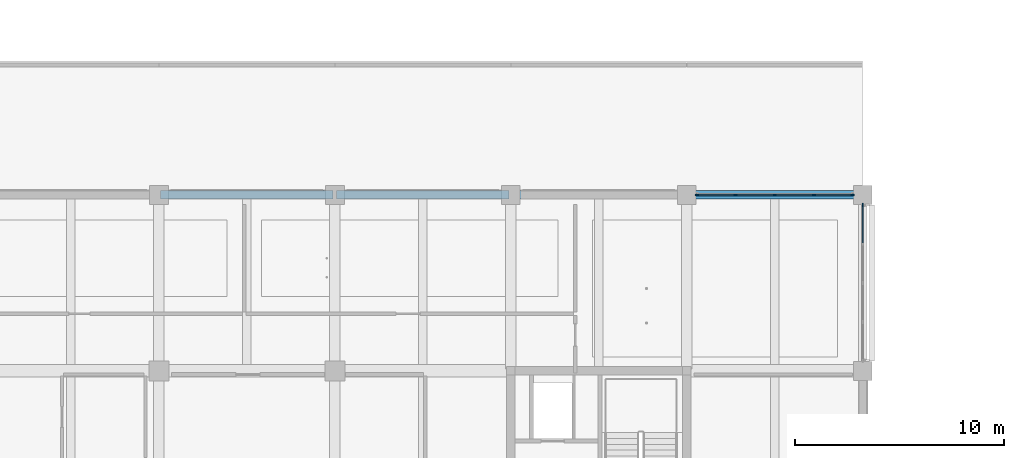
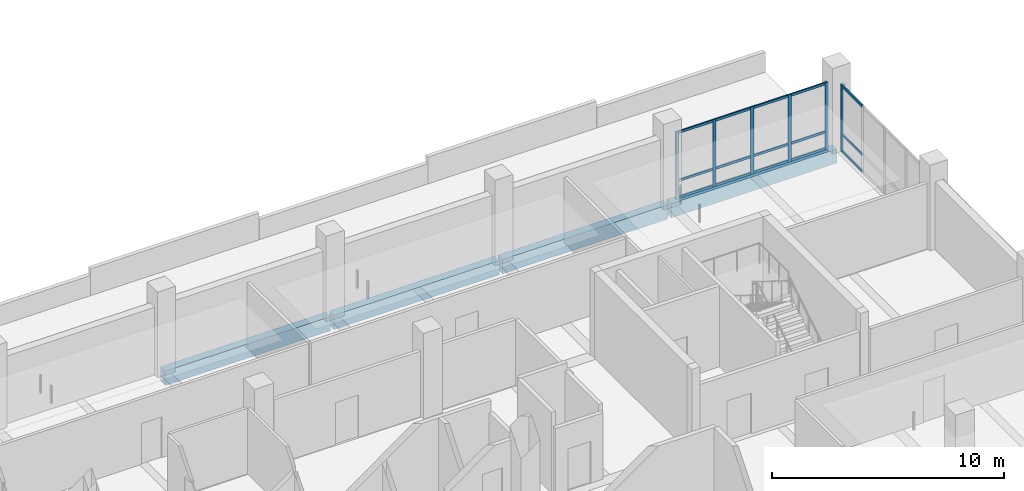
# One storey, part 16 of 59: 21 members, 4 beams, 2 elements without a shape of their own.
"""IFC4 building model written with IfcOpenShell, lengths in metres."""

from ifc_helpers import new_model, si_unit, direction, frame, origin, origin_2d, place, context, subcontext, project, spatial, rectangle, extrude, material, layer, layer_set, material_profile, profile_set, type_object, element, aggregate, save


model = new_model("IFC4")

# Units and contexts
model_context = context("Model", 3, precision=1e-05, world=origin(), true_north=direction((0.0, 1.0)))
body_context = subcontext(model_context, "Body", "Model", "MODEL_VIEW")
ifc_project = project(units=[si_unit("LENGTHUNIT", "METRE"), si_unit("AREAUNIT", "SQUARE_METRE"), si_unit("VOLUMEUNIT", "CUBIC_METRE"), si_unit("PLANEANGLEUNIT", "RADIAN"), si_unit("MASSUNIT", "GRAM", prefix="KILO")], contexts=[model_context])

# Site, building, storey
site_placement = place(None, origin())
site = spatial("IfcSite", under=ifc_project, at=site_placement, CompositionType="ELEMENT")
building_placement = place(site_placement, origin())
building = spatial("IfcBuilding", under=site, at=building_placement, Name="Telukmera Botanical Conservatory", CompositionType="ELEMENT")
storey_placement = place(building_placement, frame((0.0, 0.0, 15.0)))
storey = spatial("IfcBuildingStorey", under=building, at=storey_placement, Name="L03", CompositionType="ELEMENT", Elevation=15.0)

# Beams
ifc_material_1 = material(Name="Precast concrete C40/50", Category="concrete")
ifc_material_profile_1 = material_profile(ifc_material_1, rectangle(XDim=0.39990234375, YDim=0.75, at=origin_2d()), Name="PC 400x750")
ifc_profile_set_1 = profile_set([ifc_material_profile_1], Name="Precast concrete C40/50")
beam_type = type_object("IfcBeamType", Name="Beam_SP1", PredefinedType="SPANDREL", material=ifc_profile_set_1)
for number, where, z_axis, x_axis, name in (
    (1, (75.679931640625, 42.800048828125, -0.375), (1.0, 0.0, 0.0), (0.0, 1.0, 0.0), "Tower Grid Beam L03"),
    (2, (84.080078125, 42.800048828125, -0.375), (1.0, 0.0, 0.0), (0.0, 1.0, 0.0), "Tower Grid Beam L03"),
    (3, (92.47998046875, 42.800048828125, -0.375), (1.0, 0.0, 0.0), (0.0, 1.0, 0.0), "Tower Grid Beam L03"),
):
    element("IfcBeam", number, at=place(storey_placement, frame(where, z_axis=z_axis, x_axis=x_axis)), inside=storey, type_object=beam_type, Name=name, PredefinedType="SPANDREL", context=body_context, shape_type="SweptSolid", body=[
        extrude(rectangle(XDim=0.39990234375, YDim=0.75, at=origin_2d()), origin(), (0.0, 0.0, 1.0), 8.239990234375),
    ])
beam_placement = place(storey_placement, frame((100.8798828125, 42.800048828125, -0.375), z_axis=(1.0, 0.0, 0.0), x_axis=(0.0, 1.0, 0.0)))
element("IfcBeam", 4, at=beam_placement, inside=storey, type_object=beam_type, Name="Tower Grid Beam L03", PredefinedType="SPANDREL", context=body_context, shape_type="SweptSolid", body=[
    extrude(rectangle(XDim=0.39990234375, YDim=0.75, at=origin_2d()), origin(), (0.0, 0.0, 1.0), 8.240234375),
])

# Curtain wall, members
ifc_material_2 = material(Name="Anodised aluminium 6063-T6", Category="aluminium")
ifc_layer = layer(ifc_material_2, 0.179931640625)
ifc_layer_set = layer_set([ifc_layer], Name="Anodised aluminium 6063-T6")
curtain_wall_type = type_object("IfcCurtainWallType", Name="Tower Herbarium Curation Corner Curtain Wall", PredefinedType="USERDEFINED", material=ifc_layer_set)
curtain_wall_1_placement = place(storey_placement, origin())
curtain_wall_1 = element("IfcCurtainWall", 5, at=curtain_wall_1_placement, inside=storey, type_object=curtain_wall_type, Name="Unitised Curtain Wall CW14 V4:L03:N7", ObjectType="UNITISED CURTAIN WALL", PredefinedType="USERDEFINED")
ifc_material_profile_2 = material_profile(ifc_material_2, rectangle(XDim=0.06494140625, YDim=0.159912109375, at=origin_2d()), Name="ALU MULL 65x160")
ifc_profile_set_2 = profile_set([ifc_material_profile_2], Name="Anodised aluminium 6063-T6")
member_type_1 = type_object("IfcMemberType", Name="Curtain Wall Extruded Mullion 65x160", PredefinedType="MULLION", material=ifc_profile_set_2)
member_1_placement = place(storey_placement, frame((101.284423828125, 42.800048828125, 0.0), z_axis=(0.0, 0.0, 1.0), x_axis=(0.0, 1.0, 0.0)))
member_1 = element("IfcMember", 6, at=member_1_placement, type_object=member_type_1, Name="CW14 mullion 1", PredefinedType="MULLION", context=body_context, shape_type="SweptSolid", body=[
    extrude(rectangle(XDim=0.06494140625, YDim=0.159912109375, at=origin_2d()), origin(), (0.0, 0.0, 1.0), 3.550048828125),
])
member_2_placement = place(storey_placement, frame((103.1259765625, 42.800048828125, 0.0), z_axis=(0.0, 0.0, 1.0), x_axis=(0.0, 1.0, 0.0)))
member_2 = element("IfcMember", 7, at=member_2_placement, type_object=member_type_1, Name="CW14 mullion 2", PredefinedType="MULLION", context=body_context, shape_type="SweptSolid", body=[
    extrude(rectangle(XDim=0.06494140625, YDim=0.159912109375, at=origin_2d()), origin(), (0.0, 0.0, 1.0), 3.550048828125),
])
member_3_placement = place(storey_placement, frame((105.0, 42.800048828125, 0.0), z_axis=(0.0, 0.0, 1.0), x_axis=(0.0, 1.0, 0.0)))
member_3 = element("IfcMember", 8, at=member_3_placement, type_object=member_type_1, Name="CW14 mullion 3", PredefinedType="MULLION", context=body_context, shape_type="SweptSolid", body=[
    extrude(rectangle(XDim=0.06494140625, YDim=0.159912109375, at=origin_2d()), origin(), (0.0, 0.0, 1.0), 3.550048828125),
])
member_4_placement = place(storey_placement, frame((106.8740234375, 42.800048828125, 0.0), z_axis=(0.0, 0.0, 1.0), x_axis=(0.0, 1.0, 0.0)))
member_4 = element("IfcMember", 9, at=member_4_placement, type_object=member_type_1, Name="CW14 mullion 4", PredefinedType="MULLION", context=body_context, shape_type="SweptSolid", body=[
    extrude(rectangle(XDim=0.06494140625, YDim=0.159912109375, at=origin_2d()), origin(), (0.0, 0.0, 1.0), 3.550048828125),
])
member_5_placement = place(storey_placement, frame((108.715576171875, 42.800048828125, 0.0), z_axis=(0.0, 0.0, 1.0), x_axis=(0.0, 1.0, 0.0)))
member_5 = element("IfcMember", 10, at=member_5_placement, type_object=member_type_1, Name="CW14 mullion 5", PredefinedType="MULLION", context=body_context, shape_type="SweptSolid", body=[
    extrude(rectangle(XDim=0.06494140625, YDim=0.159912109375, at=origin_2d()), origin(), (0.0, 0.0, 1.0), 3.550048828125),
])

# Curtain wall, member
curtain_wall_2_placement = place(storey_placement, origin())
curtain_wall_2 = element("IfcCurtainWall", 11, at=curtain_wall_2_placement, inside=storey, type_object=curtain_wall_type, Name="Unitised Curtain Wall CW14 V4:L03:E4", ObjectType="UNITISED CURTAIN WALL", PredefinedType="USERDEFINED")
member_6_placement = place(storey_placement, frame((109.199951171875, 42.3154296875, 0.0), z_axis=(0.0, 0.0, 1.0), x_axis=(-1.0, 0.0, 0.0)))
member_6 = element("IfcMember", 12, at=member_6_placement, type_object=member_type_1, Name="CW14 mullion 5", PredefinedType="MULLION", context=body_context, shape_type="SweptSolid", body=[
    extrude(rectangle(XDim=0.06494140625, YDim=0.159912109375, at=origin_2d()), origin(), (0.0, 0.0, 1.0), 3.550048828125),
])

# Member
ifc_material_profile_3 = material_profile(ifc_material_2, rectangle(XDim=0.06494140625, YDim=0.1298828125, at=origin_2d()), Name="ALU TRAN 65x130")
ifc_profile_set_3 = profile_set([ifc_material_profile_3], Name="Anodised aluminium 6063-T6")
member_type_2 = type_object("IfcMemberType", Name="Curtain Wall Extruded Transom 65x130", PredefinedType="USERDEFINED", material=ifc_profile_set_3)
member_7_placement = place(storey_placement, frame((101.31689453125, 42.800048828125, 0.06494140625), z_axis=(1.0, 0.0, 0.0), x_axis=(0.0, 1.0, 0.0)))
member_7 = element("IfcMember", 13, at=member_7_placement, type_object=member_type_2, Name="CW14 transom 1.1", ObjectType="TRANSOM", PredefinedType="USERDEFINED", context=body_context, shape_type="SweptSolid", body=[
    extrude(rectangle(XDim=0.06494140625, YDim=0.1298828125, at=origin_2d()), origin(), (0.0, 0.0, 1.0), 1.776611328125),
])

member_8_placement = place(storey_placement, frame((101.31689453125, 42.800048828125, 0.949951171875), z_axis=(1.0, 0.0, 0.0), x_axis=(0.0, 1.0, 0.0)))
member_8 = element("IfcMember", 14, at=member_8_placement, type_object=member_type_2, Name="CW14 transom 1.2", ObjectType="TRANSOM", PredefinedType="USERDEFINED", context=body_context, shape_type="SweptSolid", body=[
    extrude(rectangle(XDim=0.06494140625, YDim=0.1298828125, at=origin_2d()), origin(), (0.0, 0.0, 1.0), 1.776611328125),
])

member_9_placement = place(storey_placement, frame((101.31689453125, 42.800048828125, 3.485107421875), z_axis=(1.0, 0.0, 0.0), x_axis=(0.0, 1.0, 0.0)))
member_9 = element("IfcMember", 15, at=member_9_placement, type_object=member_type_2, Name="CW14 transom 1.3", ObjectType="TRANSOM", PredefinedType="USERDEFINED", context=body_context, shape_type="SweptSolid", body=[
    extrude(rectangle(XDim=0.06494140625, YDim=0.1298828125, at=origin_2d()), origin(), (0.0, 0.0, 1.0), 1.776611328125),
])

member_10_placement = place(storey_placement, frame((103.158447265625, 42.800048828125, 0.06494140625), z_axis=(1.0, 0.0, 0.0), x_axis=(0.0, 1.0, 0.0)))
member_10 = element("IfcMember", 16, at=member_10_placement, type_object=member_type_2, Name="CW14 transom 2.1", ObjectType="TRANSOM", PredefinedType="USERDEFINED", context=body_context, shape_type="SweptSolid", body=[
    extrude(rectangle(XDim=0.06494140625, YDim=0.1298828125, at=origin_2d()), origin(), (0.0, 0.0, 1.0), 1.80908203125),
])

member_11_placement = place(storey_placement, frame((103.158447265625, 42.800048828125, 0.949951171875), z_axis=(1.0, 0.0, 0.0), x_axis=(0.0, 1.0, 0.0)))
member_11 = element("IfcMember", 17, at=member_11_placement, type_object=member_type_2, Name="CW14 transom 2.2", ObjectType="TRANSOM", PredefinedType="USERDEFINED", context=body_context, shape_type="SweptSolid", body=[
    extrude(rectangle(XDim=0.06494140625, YDim=0.1298828125, at=origin_2d()), origin(), (0.0, 0.0, 1.0), 1.80908203125),
])

member_12_placement = place(storey_placement, frame((103.158447265625, 42.800048828125, 3.485107421875), z_axis=(1.0, 0.0, 0.0), x_axis=(0.0, 1.0, 0.0)))
member_12 = element("IfcMember", 18, at=member_12_placement, type_object=member_type_2, Name="CW14 transom 2.3", ObjectType="TRANSOM", PredefinedType="USERDEFINED", context=body_context, shape_type="SweptSolid", body=[
    extrude(rectangle(XDim=0.06494140625, YDim=0.1298828125, at=origin_2d()), origin(), (0.0, 0.0, 1.0), 1.80908203125),
])

member_13_placement = place(storey_placement, frame((105.032470703125, 42.800048828125, 0.06494140625), z_axis=(1.0, 0.0, 0.0), x_axis=(0.0, 1.0, 0.0)))
member_13 = element("IfcMember", 19, at=member_13_placement, type_object=member_type_2, Name="CW14 transom 3.1", ObjectType="TRANSOM", PredefinedType="USERDEFINED", context=body_context, shape_type="SweptSolid", body=[
    extrude(rectangle(XDim=0.06494140625, YDim=0.1298828125, at=origin_2d()), origin(), (0.0, 0.0, 1.0), 1.80908203125),
])

member_14_placement = place(storey_placement, frame((105.032470703125, 42.800048828125, 0.949951171875), z_axis=(1.0, 0.0, 0.0), x_axis=(0.0, 1.0, 0.0)))
member_14 = element("IfcMember", 20, at=member_14_placement, type_object=member_type_2, Name="CW14 transom 3.2", ObjectType="TRANSOM", PredefinedType="USERDEFINED", context=body_context, shape_type="SweptSolid", body=[
    extrude(rectangle(XDim=0.06494140625, YDim=0.1298828125, at=origin_2d()), origin(), (0.0, 0.0, 1.0), 1.80908203125),
])

member_15_placement = place(storey_placement, frame((105.032470703125, 42.800048828125, 3.485107421875), z_axis=(1.0, 0.0, 0.0), x_axis=(0.0, 1.0, 0.0)))
member_15 = element("IfcMember", 21, at=member_15_placement, type_object=member_type_2, Name="CW14 transom 3.3", ObjectType="TRANSOM", PredefinedType="USERDEFINED", context=body_context, shape_type="SweptSolid", body=[
    extrude(rectangle(XDim=0.06494140625, YDim=0.1298828125, at=origin_2d()), origin(), (0.0, 0.0, 1.0), 1.80908203125),
])

member_16_placement = place(storey_placement, frame((106.906494140625, 42.800048828125, 0.06494140625), z_axis=(1.0, 0.0, 0.0), x_axis=(0.0, 1.0, 0.0)))
member_16 = element("IfcMember", 22, at=member_16_placement, type_object=member_type_2, Name="CW14 transom 4.1", ObjectType="TRANSOM", PredefinedType="USERDEFINED", context=body_context, shape_type="SweptSolid", body=[
    extrude(rectangle(XDim=0.06494140625, YDim=0.1298828125, at=origin_2d()), origin(), (0.0, 0.0, 1.0), 1.776611328125),
])

member_17_placement = place(storey_placement, frame((106.906494140625, 42.800048828125, 0.949951171875), z_axis=(1.0, 0.0, 0.0), x_axis=(0.0, 1.0, 0.0)))
member_17 = element("IfcMember", 23, at=member_17_placement, type_object=member_type_2, Name="CW14 transom 4.2", ObjectType="TRANSOM", PredefinedType="USERDEFINED", context=body_context, shape_type="SweptSolid", body=[
    extrude(rectangle(XDim=0.06494140625, YDim=0.1298828125, at=origin_2d()), origin(), (0.0, 0.0, 1.0), 1.776611328125),
])

member_18_placement = place(storey_placement, frame((106.906494140625, 42.800048828125, 3.485107421875), z_axis=(1.0, 0.0, 0.0), x_axis=(0.0, 1.0, 0.0)))
member_18 = element("IfcMember", 24, at=member_18_placement, type_object=member_type_2, Name="CW14 transom 4.3", ObjectType="TRANSOM", PredefinedType="USERDEFINED", context=body_context, shape_type="SweptSolid", body=[
    extrude(rectangle(XDim=0.06494140625, YDim=0.1298828125, at=origin_2d()), origin(), (0.0, 0.0, 1.0), 1.776611328125),
])

aggregate(curtain_wall_1, [member_1, member_2, member_3, member_4, member_5, member_7, member_8, member_9, member_10, member_11, member_12, member_13, member_14, member_15, member_16, member_17, member_18])

member_19_placement = place(storey_placement, frame((109.199951171875, 40.506591796875, 0.06494140625), z_axis=(0.0, 1.0, 0.0), x_axis=(-1.0, 0.0, 0.0)))
member_19 = element("IfcMember", 25, at=member_19_placement, type_object=member_type_2, Name="CW14 transom 4.1", ObjectType="TRANSOM", PredefinedType="USERDEFINED", context=body_context, shape_type="SweptSolid", body=[
    extrude(rectangle(XDim=0.06494140625, YDim=0.1298828125, at=origin_2d()), origin(), (0.0, 0.0, 1.0), 1.7763671875),
])

member_20_placement = place(storey_placement, frame((109.199951171875, 40.506591796875, 0.949951171875), z_axis=(0.0, 1.0, 0.0), x_axis=(-1.0, 0.0, 0.0)))
member_20 = element("IfcMember", 26, at=member_20_placement, type_object=member_type_2, Name="CW14 transom 4.2", ObjectType="TRANSOM", PredefinedType="USERDEFINED", context=body_context, shape_type="SweptSolid", body=[
    extrude(rectangle(XDim=0.06494140625, YDim=0.1298828125, at=origin_2d()), origin(), (0.0, 0.0, 1.0), 1.7763671875),
])

member_21_placement = place(storey_placement, frame((109.199951171875, 40.506591796875, 3.485107421875), z_axis=(0.0, 1.0, 0.0), x_axis=(-1.0, 0.0, 0.0)))
member_21 = element("IfcMember", 27, at=member_21_placement, type_object=member_type_2, Name="CW14 transom 4.3", ObjectType="TRANSOM", PredefinedType="USERDEFINED", context=body_context, shape_type="SweptSolid", body=[
    extrude(rectangle(XDim=0.06494140625, YDim=0.1298828125, at=origin_2d()), origin(), (0.0, 0.0, 1.0), 1.7763671875),
])

aggregate(curtain_wall_2, [member_6, member_19, member_20, member_21])

save(model, "model.ifc")
